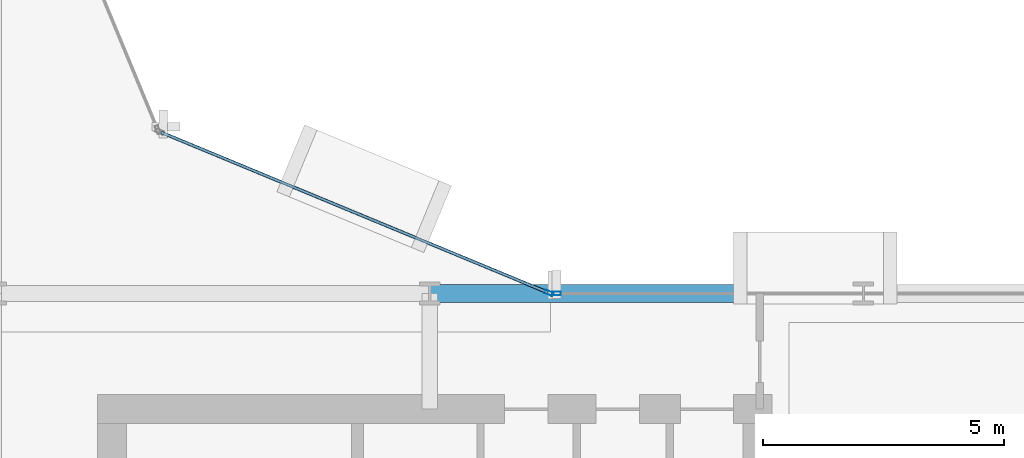
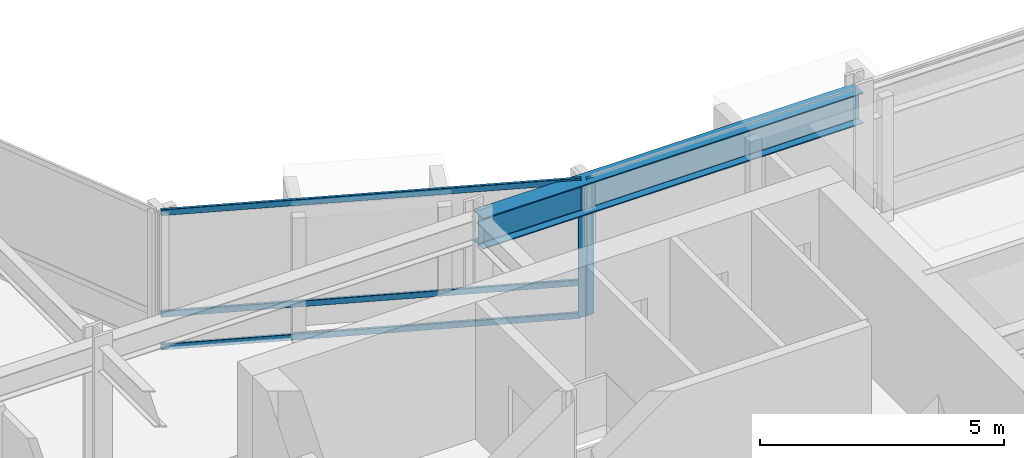
# One storey, part 15 of 34: 5 members, 1 beam, 2 elements without a shape of their own.
"""IFC4 building model written with IfcOpenShell, lengths in metres."""

import ifcopenshell
import ifcopenshell.guid

model = None  # the IFC model being written
_history = None  # IfcOwnerHistory: only IFC2X3 demands one
_inside = {}  # id of a spatial element -> (the spatial element, [elements in it])
_under = {}  # id of a project, library or spatial element -> (it, [spatial elements below it])
_declared = {}  # id of a project -> (the project, [libraries it declares])
_typed = {}  # id of a type object -> (the type object, [elements of that type])
_made_of = {}  # id of a material, layer set ... -> (it, [elements and type objects made of it])


def new_model(schema):
    """Start an empty IFC model of exactly this schema.

    Asked for "IFC4X3", IfcOpenShell would pick the latest addendum, in which some entities
    have other attributes; the version numbers below select the first issue.
    IFC2X3 requires an IfcOwnerHistory on every rooted entity: one is made here for all.
    """
    global model, _history
    if schema == "IFC4X3":
        model = ifcopenshell.file(schema_version=(4, 3, 0, 0))
    else:
        model = ifcopenshell.file(schema=schema)
    _inside.clear()
    _under.clear()
    _declared.clear()
    _typed.clear()
    _made_of.clear()
    _history = None
    if model.schema == "IFC2X3":
        org = make("IfcOrganization", Name="unknown")
        user = make(
            "IfcPersonAndOrganization",
            ThePerson=make("IfcPerson", FamilyName="unknown"),
            TheOrganization=org,
        )
        app = make(
            "IfcApplication",
            ApplicationDeveloper=org,
            Version="unknown",
            ApplicationFullName="unknown",
            ApplicationIdentifier="unknown",
        )
        _history = make(
            "IfcOwnerHistory",
            OwningUser=user,
            OwningApplication=app,
            ChangeAction="ADDED",
            CreationDate=0,
        )
    return model


def make(cls, **values):
    """One entity of the class cls with the attributes given. An attribute that is None is left unset."""
    return model.create_entity(
        cls, **{name: value for name, value in values.items() if value is not None}
    )


def rooted(cls, **values):
    """An entity with a GlobalId (a new one), such as an element, a storey or a relation."""
    return make(cls, GlobalId=ifcopenshell.guid.new(), OwnerHistory=_history, **values)


def si_unit(unit_type, name, prefix=None):
    """IfcSIUnit, for example si_unit("LENGTHUNIT", "METRE", prefix="MILLI")."""
    return make("IfcSIUnit", UnitType=unit_type, Prefix=prefix, Name=name)


def assignment(units):
    """IfcUnitAssignment: the units of a project."""
    return None if units is None else make("IfcUnitAssignment", Units=units)


def point(xyz):
    """IfcCartesianPoint."""
    return None if xyz is None else make("IfcCartesianPoint", Coordinates=xyz)


def direction(xyz):
    """IfcDirection."""
    return None if xyz is None else make("IfcDirection", DirectionRatios=xyz)


def frame(location, z_axis=None, x_axis=None):
    """IfcAxis2Placement3D, a coordinate frame: its origin and axes. An axis left out is left unset."""
    return make(
        "IfcAxis2Placement3D",
        Location=point(location),
        Axis=direction(z_axis),
        RefDirection=direction(x_axis),
    )


def frame_2d(location, x_axis=None):
    """IfcAxis2Placement2D, a coordinate frame in the plane: its origin and x axis."""
    return make(
        "IfcAxis2Placement2D", Location=point(location), RefDirection=direction(x_axis)
    )


def origin():
    """The frame at (0, 0, 0) with its axes left unset."""
    return frame((0.0, 0.0, 0.0))


def origin_2d():
    """The frame at (0, 0) in the plane with its x axis left unset."""
    return frame_2d((0.0, 0.0))


def place(relative_to, where):
    """IfcLocalPlacement: puts the frame where relative to a parent placement (None: the world)."""
    return make(
        "IfcLocalPlacement", PlacementRelTo=relative_to, RelativePlacement=where
    )


def context(
    kind, dimensions, precision=None, world=None, true_north=None, identifier=None
):
    """IfcGeometricRepresentationContext, for example the 3D "Model" context."""
    return make(
        "IfcGeometricRepresentationContext",
        ContextIdentifier=identifier,
        ContextType=kind,
        CoordinateSpaceDimension=dimensions,
        Precision=precision,
        WorldCoordinateSystem=world,
        TrueNorth=true_north,
    )


def subcontext(parent, identifier, kind, view, scale=None):
    """IfcGeometricRepresentationSubContext, for example "Body" below "Model"."""
    return make(
        "IfcGeometricRepresentationSubContext",
        ContextIdentifier=identifier,
        ContextType=kind,
        ParentContext=parent,
        TargetScale=scale,
        TargetView=view,
    )


def project(units=None, contexts=None):
    """IfcProject with its units and contexts."""
    return rooted(
        "IfcProject",
        Name="project",
        RepresentationContexts=contexts,
        UnitsInContext=assignment(units),
    )


def spatial(cls, under=None, at=None, **own):
    """A site, building, storey or space (cls), placed at a placement, below another one or the project."""
    s = rooted(cls, ObjectPlacement=at, **own)
    if under is not None:
        _under.setdefault(under.id(), (under, []))[1].append(s)
    return s


def profile(cls, at=None, kind="AREA", **sizes):
    """A parametric profile (cls). Its sizes go by their IFC names, for example OverallWidth=200.0."""
    return make(cls, ProfileType=kind, Position=at, **sizes)


def hollow_rectangle(**sizes):
    """IfcRectangleHollowProfileDef."""
    return profile("IfcRectangleHollowProfileDef", **sizes)


def i_section(**sizes):
    """IfcIShapeProfileDef."""
    return profile("IfcIShapeProfileDef", **sizes)


def extrude(swept, where, along, depth):
    """IfcExtrudedAreaSolid: the profile swept, set in the frame where, extruded along a direction by depth."""
    return make(
        "IfcExtrudedAreaSolid",
        SweptArea=swept,
        Position=where,
        ExtrudedDirection=direction(along),
        Depth=depth,
    )


def shape(context_of_items, identifier, shape_type, items):
    """IfcShapeRepresentation: the items that make up one representation, for example the "Body"."""
    return make(
        "IfcShapeRepresentation",
        ContextOfItems=context_of_items,
        RepresentationIdentifier=identifier,
        RepresentationType=shape_type,
        Items=items,
    )


def material(Name=None, Category=None):
    """IfcMaterial."""
    return make("IfcMaterial", Name=Name, Category=Category)


def layer(
    of_material, thickness, ventilated=None, Name=None, Category=None, Priority=None
):
    """IfcMaterialLayer: one layer of a wall or slab, of a material (None: an air gap)."""
    return make(
        "IfcMaterialLayer",
        Material=of_material,
        LayerThickness=thickness,
        IsVentilated=ventilated,
        Name=Name,
        Category=Category,
        Priority=Priority,
    )


def layer_set(layers, Name=None):
    """IfcMaterialLayerSet."""
    return make("IfcMaterialLayerSet", MaterialLayers=layers, LayerSetName=Name)


def material_profile(
    of_material, cross_section, Name=None, Category=None, Priority=None
):
    """IfcMaterialProfile: a cross section and its material."""
    return make(
        "IfcMaterialProfile",
        Name=Name,
        Material=of_material,
        Profile=cross_section,
        Priority=Priority,
        Category=Category,
    )


def profile_set(profiles, Name=None, composite=None):
    """IfcMaterialProfileSet."""
    return make(
        "IfcMaterialProfileSet",
        Name=Name,
        MaterialProfiles=profiles,
        CompositeProfile=composite,
    )


def made_of(thing, what):
    """Note that an element or type object is made of a material, layer set ...; save() writes the relation."""
    if what is not None:
        _made_of.setdefault(what.id(), (what, []))[1].append(thing)
    return thing


def type_object(cls, material=None, **own):
    """A type object (cls), such as IfcWallType, which elements share."""
    return made_of(rooted(cls, **own), material)


def element(
    cls,
    number,
    at=None,
    inside=None,
    cuts=None,
    type_object=None,
    material=None,
    context=None,
    identifier="Body",
    shape_type=None,
    held_by="IfcProductDefinitionShape",
    body=None,
    shapes=None,
    **own,
):
    """One element of the class cls, such as IfcWall. Its Tag is "e" and its number.

    at: its placement. inside: the storey or other place that contains it. cuts: it is an
    opening in that element (IfcRelVoidsElement). A single representation is given by context,
    identifier, shape_type and body (its items); several are given by shapes. held_by: the class
    of the entity that holds the representations. save() writes the other relations.
    """
    e = rooted(cls, Tag="e%d" % number, ObjectPlacement=at, **own)
    if body is not None:
        shapes = [shape(context, identifier, shape_type, body)]
    if shapes is not None:
        e.Representation = make(held_by, Representations=shapes)
    if inside is not None:
        _inside.setdefault(inside.id(), (inside, []))[1].append(e)
    if cuts is not None:
        rooted(
            "IfcRelVoidsElement", RelatingBuildingElement=cuts, RelatedOpeningElement=e
        )
    if type_object is not None:
        _typed.setdefault(type_object.id(), (type_object, []))[1].append(e)
    return made_of(e, material)


def aggregate(whole, parts):
    """IfcRelAggregates: a whole, such as a stair, and the parts it consists of."""
    return rooted("IfcRelAggregates", RelatingObject=whole, RelatedObjects=parts)


def save(model, path):
    """Write the relations noted so far, then the file.

    IfcRelAggregates (storeys below a building ...), IfcRelContainedInSpatialStructure (elements
    in a storey), IfcRelDefinesByType, IfcRelAssociatesMaterial and IfcRelDeclares: one each for
    every whole, place, type object, material and project.
    """
    for whole, parts in _under.values():
        aggregate(whole, parts)
    for where, things in _inside.values():
        rooted(
            "IfcRelContainedInSpatialStructure",
            RelatedElements=things,
            RelatingStructure=where,
        )
    for kind, things in _typed.values():
        rooted("IfcRelDefinesByType", RelatedObjects=things, RelatingType=kind)
    for what, things in _made_of.values():
        rooted("IfcRelAssociatesMaterial", RelatedObjects=things, RelatingMaterial=what)
    for by, libraries in _declared.values():
        rooted("IfcRelDeclares", RelatingContext=by, RelatedDefinitions=libraries)
    model.write(path)


model = new_model("IFC4")

# Units and contexts
model_context = context("Model", 3, precision=1e-05, world=origin(), true_north=direction((0.0, 1.0)))
body_context = subcontext(model_context, "Body", "Model", "MODEL_VIEW")
ifc_project = project(units=[si_unit("LENGTHUNIT", "METRE"), si_unit("AREAUNIT", "SQUARE_METRE"), si_unit("VOLUMEUNIT", "CUBIC_METRE"), si_unit("PLANEANGLEUNIT", "RADIAN"), si_unit("MASSUNIT", "GRAM", prefix="KILO")], contexts=[model_context])

# Site, building, storey
site_placement = place(None, origin())
site = spatial("IfcSite", under=ifc_project, at=site_placement, CompositionType="ELEMENT")
building_placement = place(site_placement, origin())
building = spatial("IfcBuilding", under=site, at=building_placement, Name="Solvaryn Broadcast Tower", CompositionType="ELEMENT")
storey_placement = place(building_placement, frame((0.0, 0.0, 76.699951171875)))
storey = spatial("IfcBuildingStorey", under=building, at=storey_placement, Name="L18", CompositionType="ELEMENT", Elevation=76.699951171875)

# Beam
ifc_material_1 = material(Name="Steel ASTM A992 Grade 50", Category="steel")
ifc_material_profile_1 = material_profile(ifc_material_1, i_section(OverallWidth=0.381103515625, OverallDepth=0.77294921875, WebThickness=0.0166015625, FlangeThickness=0.027099609375, FilletRadius=0.01806640625, at=origin_2d()))
ifc_profile_set_1 = profile_set([ifc_material_profile_1], Name="Steel ASTM A992 Grade 50")
beam_type = type_object("IfcBeamType", Name="BM-SP1-W30X173", PredefinedType="USERDEFINED", material=ifc_profile_set_1)
beam_placement = place(storey_placement, frame((36.0, 27.0, 3.033447265625), z_axis=(1.0, 0.0, 0.0), x_axis=(0.0, 1.0, 0.0)))
element("IfcBeam", 1, at=beam_placement, inside=storey, type_object=beam_type, Name="L18 Spandrel Beam X (36-45 @ Y=27)", ObjectType="SPANDREL", PredefinedType="USERDEFINED", context=body_context, shape_type="SweptSolid", body=[
    extrude(i_section(OverallWidth=0.381103515625, OverallDepth=0.77294921875, WebThickness=0.0166015625, FlangeThickness=0.027099609375, FilletRadius=0.01806640625, at=origin_2d()), origin(), (0.0, 0.0, 1.0), 9.0),
])

# Curtain wall, member
ifc_material_2 = material(Name="Aluminium and Terracotta Unitised Curtain Wall", Category="masonry")
ifc_layer = layer(ifc_material_2, 0.199951171875)
ifc_layer_set = layer_set([ifc_layer], Name="CW-SYS2-LOWMID")
curtain_wall_type = type_object("IfcCurtainWallType", Name="CW-SYS2-LOWMID", PredefinedType="NOTDEFINED", material=ifc_layer_set)
curtain_wall_1_placement = place(storey_placement, origin())
curtain_wall_1 = element("IfcCurtainWall", 2, at=curtain_wall_1_placement, inside=storey, type_object=curtain_wall_type, Name="L18 Curtain Wall CN1", PredefinedType="NOTDEFINED")
ifc_material_3 = material(Name="Anodised Aluminium 6063-T6", Category="aluminium")
ifc_material_profile_2 = material_profile(ifc_material_3, hollow_rectangle(XDim=0.074951171875, YDim=0.179931640625, WallThickness=0.00390625, InnerFilletRadius=0.00390625, OuterFilletRadius=0.008056640625, at=origin_2d()))
ifc_profile_set_2 = profile_set([ifc_material_profile_2], Name="Anodised Aluminium 6063-T6")
member_type_1 = type_object("IfcMemberType", Name="CW-MUL-180", PredefinedType="MULLION", material=ifc_profile_set_2)
member_1_placement = place(storey_placement, frame((38.47216796875, 27.011474609375, 0.0), z_axis=(0.0, 0.0, 1.0), x_axis=(-0.382646127145, -0.923894983957, 0.0)))
member_1 = element("IfcMember", 3, at=member_1_placement, type_object=member_type_1, Name="CWS2 mullion 1", PredefinedType="MULLION", context=body_context, shape_type="SweptSolid", body=[
    extrude(hollow_rectangle(XDim=0.074951171875, YDim=0.179931640625, WallThickness=0.00390625, InnerFilletRadius=0.00390625, OuterFilletRadius=0.008056640625, at=origin_2d()), origin(), (0.0, 0.0, 1.0), 3.420166015625),
])

curtain_wall_2_placement = place(storey_placement, origin())
curtain_wall_2 = element("IfcCurtainWall", 4, at=curtain_wall_2_placement, inside=storey, type_object=curtain_wall_type, Name="L18 Curtain Wall IH", PredefinedType="NOTDEFINED")
member_2_placement = place(storey_placement, frame((38.6298828125, 27.0, 0.0), z_axis=(0.0, 0.0, 1.0), x_axis=(0.0, 1.0, 0.0)))
member_2 = element("IfcMember", 5, at=member_2_placement, type_object=member_type_1, Name="CWS2 mullion 1", PredefinedType="MULLION", context=body_context, shape_type="SweptSolid", body=[
    extrude(hollow_rectangle(XDim=0.074951171875, YDim=0.179931640625, WallThickness=0.00390625, InnerFilletRadius=0.00390625, OuterFilletRadius=0.008056640625, at=origin_2d()), origin(), (0.0, 0.0, 1.0), 3.420166015625),
])
aggregate(curtain_wall_2, [member_2])

# Member
ifc_material_4 = material(Name="Anodised Aluminium 6063-T6", Category="aluminium")
ifc_material_profile_3 = material_profile(ifc_material_4, hollow_rectangle(XDim=0.06494140625, YDim=0.14990234375, WallThickness=0.00390625, InnerFilletRadius=0.00390625, OuterFilletRadius=0.008056640625, at=origin_2d()))
ifc_profile_set_3 = profile_set([ifc_material_profile_3], Name="Anodised Aluminium 6063-T6")
member_type_2 = type_object("IfcMemberType", Name="CW-TRN-150", PredefinedType="USERDEFINED", material=ifc_profile_set_3)
member_3_placement = place(storey_placement, frame((38.444580078125, 27.02294921875, 0.030029296875), z_axis=(-0.923899282177, 0.382635748975, 0.0), x_axis=(-0.382635748975, -0.923899282177, 0.0)))
member_3 = element("IfcMember", 6, at=member_3_placement, type_object=member_type_2, Name="CWS2 transom 1.1", ObjectType="TRANSOM", PredefinedType="USERDEFINED", context=body_context, shape_type="SweptSolid", body=[
    extrude(hollow_rectangle(XDim=0.06494140625, YDim=0.14990234375, WallThickness=0.00390625, InnerFilletRadius=0.00390625, OuterFilletRadius=0.008056640625, at=origin_2d()), origin(), (0.0, 0.0, 1.0), 8.681884765625),
])

member_4_placement = place(storey_placement, frame((38.444580078125, 27.02294921875, 0.85009765625), z_axis=(-0.923899282177, 0.382635748975, 0.0), x_axis=(-0.382635748975, -0.923899282177, 0.0)))
member_4 = element("IfcMember", 7, at=member_4_placement, type_object=member_type_2, Name="CWS2 transom 1.2", ObjectType="TRANSOM", PredefinedType="USERDEFINED", context=body_context, shape_type="SweptSolid", body=[
    extrude(hollow_rectangle(XDim=0.06494140625, YDim=0.14990234375, WallThickness=0.00390625, InnerFilletRadius=0.00390625, OuterFilletRadius=0.008056640625, at=origin_2d()), origin(), (0.0, 0.0, 1.0), 8.681884765625),
])

member_5_placement = place(storey_placement, frame((38.444580078125, 27.02294921875, 3.39013671875), z_axis=(-0.923899282177, 0.382635748975, 0.0), x_axis=(-0.382635748975, -0.923899282177, 0.0)))
member_5 = element("IfcMember", 8, at=member_5_placement, type_object=member_type_2, Name="CWS2 transom 1.3", ObjectType="TRANSOM", PredefinedType="USERDEFINED", context=body_context, shape_type="SweptSolid", body=[
    extrude(hollow_rectangle(XDim=0.06494140625, YDim=0.14990234375, WallThickness=0.00390625, InnerFilletRadius=0.00390625, OuterFilletRadius=0.008056640625, at=origin_2d()), origin(), (0.0, 0.0, 1.0), 8.681884765625),
])

aggregate(curtain_wall_1, [member_1, member_3, member_4, member_5])

save(model, "model.ifc")
